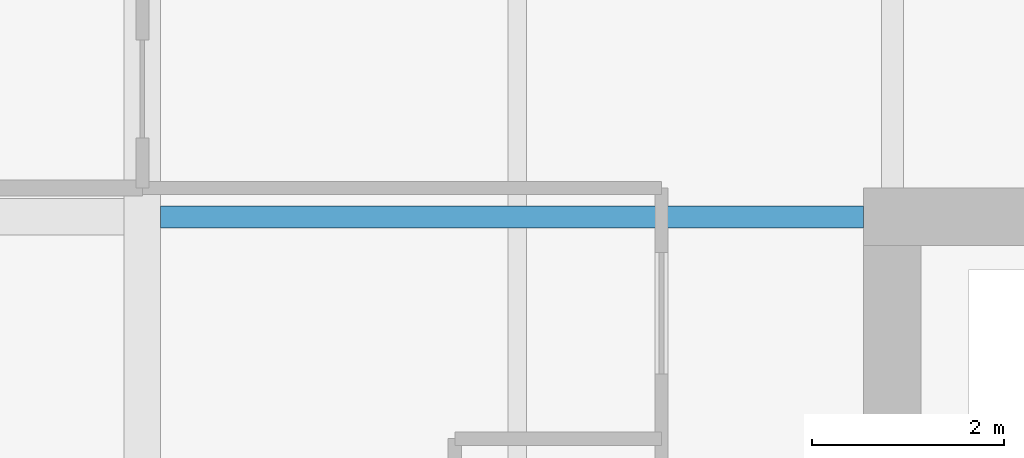
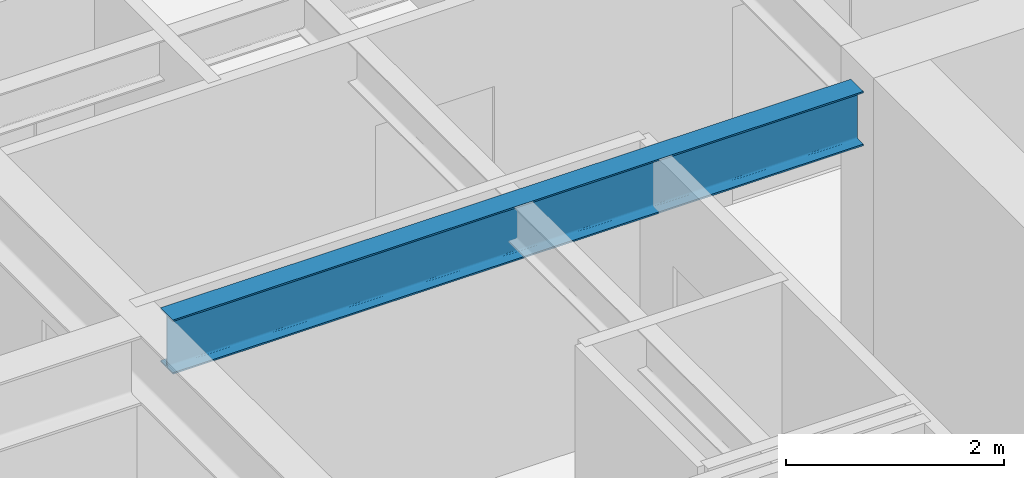
# One storey, part 18 of 38: 1 beam.
"""IFC4 building model written with IfcOpenShell, lengths in metres."""

import ifcopenshell
import ifcopenshell.guid

model = None  # the IFC model being written
_history = None  # IfcOwnerHistory: only IFC2X3 demands one
_inside = {}  # id of a spatial element -> (the spatial element, [elements in it])
_under = {}  # id of a project, library or spatial element -> (it, [spatial elements below it])
_declared = {}  # id of a project -> (the project, [libraries it declares])
_typed = {}  # id of a type object -> (the type object, [elements of that type])
_made_of = {}  # id of a material, layer set ... -> (it, [elements and type objects made of it])


def new_model(schema):
    """Start an empty IFC model of exactly this schema.

    Asked for "IFC4X3", IfcOpenShell would pick the latest addendum, in which some entities
    have other attributes; the version numbers below select the first issue.
    IFC2X3 requires an IfcOwnerHistory on every rooted entity: one is made here for all.
    """
    global model, _history
    if schema == "IFC4X3":
        model = ifcopenshell.file(schema_version=(4, 3, 0, 0))
    else:
        model = ifcopenshell.file(schema=schema)
    _inside.clear()
    _under.clear()
    _declared.clear()
    _typed.clear()
    _made_of.clear()
    _history = None
    if model.schema == "IFC2X3":
        org = make("IfcOrganization", Name="unknown")
        user = make(
            "IfcPersonAndOrganization",
            ThePerson=make("IfcPerson", FamilyName="unknown"),
            TheOrganization=org,
        )
        app = make(
            "IfcApplication",
            ApplicationDeveloper=org,
            Version="unknown",
            ApplicationFullName="unknown",
            ApplicationIdentifier="unknown",
        )
        _history = make(
            "IfcOwnerHistory",
            OwningUser=user,
            OwningApplication=app,
            ChangeAction="ADDED",
            CreationDate=0,
        )
    return model


def make(cls, **values):
    """One entity of the class cls with the attributes given. An attribute that is None is left unset."""
    return model.create_entity(
        cls, **{name: value for name, value in values.items() if value is not None}
    )


def rooted(cls, **values):
    """An entity with a GlobalId (a new one), such as an element, a storey or a relation."""
    return make(cls, GlobalId=ifcopenshell.guid.new(), OwnerHistory=_history, **values)


def si_unit(unit_type, name, prefix=None):
    """IfcSIUnit, for example si_unit("LENGTHUNIT", "METRE", prefix="MILLI")."""
    return make("IfcSIUnit", UnitType=unit_type, Prefix=prefix, Name=name)


def assignment(units):
    """IfcUnitAssignment: the units of a project."""
    return None if units is None else make("IfcUnitAssignment", Units=units)


def point(xyz):
    """IfcCartesianPoint."""
    return None if xyz is None else make("IfcCartesianPoint", Coordinates=xyz)


def direction(xyz):
    """IfcDirection."""
    return None if xyz is None else make("IfcDirection", DirectionRatios=xyz)


def frame(location, z_axis=None, x_axis=None):
    """IfcAxis2Placement3D, a coordinate frame: its origin and axes. An axis left out is left unset."""
    return make(
        "IfcAxis2Placement3D",
        Location=point(location),
        Axis=direction(z_axis),
        RefDirection=direction(x_axis),
    )


def frame_2d(location, x_axis=None):
    """IfcAxis2Placement2D, a coordinate frame in the plane: its origin and x axis."""
    return make(
        "IfcAxis2Placement2D", Location=point(location), RefDirection=direction(x_axis)
    )


def origin():
    """The frame at (0, 0, 0) with its axes left unset."""
    return frame((0.0, 0.0, 0.0))


def origin_2d():
    """The frame at (0, 0) in the plane with its x axis left unset."""
    return frame_2d((0.0, 0.0))


def place(relative_to, where):
    """IfcLocalPlacement: puts the frame where relative to a parent placement (None: the world)."""
    return make(
        "IfcLocalPlacement", PlacementRelTo=relative_to, RelativePlacement=where
    )


def context(
    kind, dimensions, precision=None, world=None, true_north=None, identifier=None
):
    """IfcGeometricRepresentationContext, for example the 3D "Model" context."""
    return make(
        "IfcGeometricRepresentationContext",
        ContextIdentifier=identifier,
        ContextType=kind,
        CoordinateSpaceDimension=dimensions,
        Precision=precision,
        WorldCoordinateSystem=world,
        TrueNorth=true_north,
    )


def subcontext(parent, identifier, kind, view, scale=None):
    """IfcGeometricRepresentationSubContext, for example "Body" below "Model"."""
    return make(
        "IfcGeometricRepresentationSubContext",
        ContextIdentifier=identifier,
        ContextType=kind,
        ParentContext=parent,
        TargetScale=scale,
        TargetView=view,
    )


def project(units=None, contexts=None):
    """IfcProject with its units and contexts."""
    return rooted(
        "IfcProject",
        Name="project",
        RepresentationContexts=contexts,
        UnitsInContext=assignment(units),
    )


def spatial(cls, under=None, at=None, **own):
    """A site, building, storey or space (cls), placed at a placement, below another one or the project."""
    s = rooted(cls, ObjectPlacement=at, **own)
    if under is not None:
        _under.setdefault(under.id(), (under, []))[1].append(s)
    return s


def profile(cls, at=None, kind="AREA", **sizes):
    """A parametric profile (cls). Its sizes go by their IFC names, for example OverallWidth=200.0."""
    return make(cls, ProfileType=kind, Position=at, **sizes)


def i_section(**sizes):
    """IfcIShapeProfileDef."""
    return profile("IfcIShapeProfileDef", **sizes)


def extrude(swept, where, along, depth):
    """IfcExtrudedAreaSolid: the profile swept, set in the frame where, extruded along a direction by depth."""
    return make(
        "IfcExtrudedAreaSolid",
        SweptArea=swept,
        Position=where,
        ExtrudedDirection=direction(along),
        Depth=depth,
    )


def shape(context_of_items, identifier, shape_type, items):
    """IfcShapeRepresentation: the items that make up one representation, for example the "Body"."""
    return make(
        "IfcShapeRepresentation",
        ContextOfItems=context_of_items,
        RepresentationIdentifier=identifier,
        RepresentationType=shape_type,
        Items=items,
    )


def material(Name=None, Category=None):
    """IfcMaterial."""
    return make("IfcMaterial", Name=Name, Category=Category)


def material_profile(
    of_material, cross_section, Name=None, Category=None, Priority=None
):
    """IfcMaterialProfile: a cross section and its material."""
    return make(
        "IfcMaterialProfile",
        Name=Name,
        Material=of_material,
        Profile=cross_section,
        Priority=Priority,
        Category=Category,
    )


def profile_set(profiles, Name=None, composite=None):
    """IfcMaterialProfileSet."""
    return make(
        "IfcMaterialProfileSet",
        Name=Name,
        MaterialProfiles=profiles,
        CompositeProfile=composite,
    )


def made_of(thing, what):
    """Note that an element or type object is made of a material, layer set ...; save() writes the relation."""
    if what is not None:
        _made_of.setdefault(what.id(), (what, []))[1].append(thing)
    return thing


def type_object(cls, material=None, **own):
    """A type object (cls), such as IfcWallType, which elements share."""
    return made_of(rooted(cls, **own), material)


def element(
    cls,
    number,
    at=None,
    inside=None,
    cuts=None,
    type_object=None,
    material=None,
    context=None,
    identifier="Body",
    shape_type=None,
    held_by="IfcProductDefinitionShape",
    body=None,
    shapes=None,
    **own,
):
    """One element of the class cls, such as IfcWall. Its Tag is "e" and its number.

    at: its placement. inside: the storey or other place that contains it. cuts: it is an
    opening in that element (IfcRelVoidsElement). A single representation is given by context,
    identifier, shape_type and body (its items); several are given by shapes. held_by: the class
    of the entity that holds the representations. save() writes the other relations.
    """
    e = rooted(cls, Tag="e%d" % number, ObjectPlacement=at, **own)
    if body is not None:
        shapes = [shape(context, identifier, shape_type, body)]
    if shapes is not None:
        e.Representation = make(held_by, Representations=shapes)
    if inside is not None:
        _inside.setdefault(inside.id(), (inside, []))[1].append(e)
    if cuts is not None:
        rooted(
            "IfcRelVoidsElement", RelatingBuildingElement=cuts, RelatedOpeningElement=e
        )
    if type_object is not None:
        _typed.setdefault(type_object.id(), (type_object, []))[1].append(e)
    return made_of(e, material)


def aggregate(whole, parts):
    """IfcRelAggregates: a whole, such as a stair, and the parts it consists of."""
    return rooted("IfcRelAggregates", RelatingObject=whole, RelatedObjects=parts)


def save(model, path):
    """Write the relations noted so far, then the file.

    IfcRelAggregates (storeys below a building ...), IfcRelContainedInSpatialStructure (elements
    in a storey), IfcRelDefinesByType, IfcRelAssociatesMaterial and IfcRelDeclares: one each for
    every whole, place, type object, material and project.
    """
    for whole, parts in _under.values():
        aggregate(whole, parts)
    for where, things in _inside.values():
        rooted(
            "IfcRelContainedInSpatialStructure",
            RelatedElements=things,
            RelatingStructure=where,
        )
    for kind, things in _typed.values():
        rooted("IfcRelDefinesByType", RelatedObjects=things, RelatingType=kind)
    for what, things in _made_of.values():
        rooted("IfcRelAssociatesMaterial", RelatedObjects=things, RelatingMaterial=what)
    for by, libraries in _declared.values():
        rooted("IfcRelDeclares", RelatingContext=by, RelatedDefinitions=libraries)
    model.write(path)


model = new_model("IFC4")

# Units and contexts
model_context = context("Model", 3, precision=1e-05, world=origin(), true_north=direction((0.0, 1.0)))
body_context = subcontext(model_context, "Body", "Model", "MODEL_VIEW")
ifc_project = project(units=[si_unit("LENGTHUNIT", "METRE"), si_unit("AREAUNIT", "SQUARE_METRE"), si_unit("VOLUMEUNIT", "CUBIC_METRE"), si_unit("PLANEANGLEUNIT", "RADIAN"), si_unit("MASSUNIT", "GRAM", prefix="KILO")], contexts=[model_context])

# Site, building, storey
site_placement = place(None, origin())
site = spatial("IfcSite", under=ifc_project, at=site_placement, CompositionType="ELEMENT")
building_placement = place(site_placement, origin())
building = spatial("IfcBuilding", under=site, at=building_placement, Name="Drelvath Grand Hotel", CompositionType="ELEMENT")
storey_placement = place(building_placement, frame((0.0, 0.0, 61.199951171875)))
storey = spatial("IfcBuildingStorey", under=building, at=storey_placement, Name="L14", CompositionType="ELEMENT", Elevation=61.199951171875)

# Beam
ifc_material = material(Name="Steel ASTM A992 Gr 50", Category="steel")
ifc_material_profile = material_profile(ifc_material, i_section(OverallWidth=0.228271484375, OverallDepth=0.607666015625, WebThickness=0.01123046875, FlangeThickness=0.017333984375, FilletRadius=0.02001953125, at=origin_2d()), Name="W24X76")
ifc_profile_set = profile_set([ifc_material_profile], Name="Steel ASTM A992 Gr 50")
beam_type = type_object("IfcBeamType", Name="Primary Floor Girder W24X76", PredefinedType="BEAM", material=ifc_profile_set)
beam_placement = place(storey_placement, frame((-16.009765625, 35.39990234375, 2.936279296875), z_axis=(1.0, 0.0, 0.0), x_axis=(0.0, 1.0, 0.0)))
element("IfcBeam", 1, at=beam_placement, inside=storey, type_object=beam_type, Name="L14 West Core Tie F", PredefinedType="BEAM", context=body_context, shape_type="SweptSolid", body=[
    extrude(i_section(OverallWidth=0.228271484375, OverallDepth=0.607666015625, WebThickness=0.01123046875, FlangeThickness=0.017333984375, FilletRadius=0.02001953125, at=origin_2d()), origin(), (0.0, 0.0, 1.0), 7.309814453125),
])

save(model, "model.ifc")
